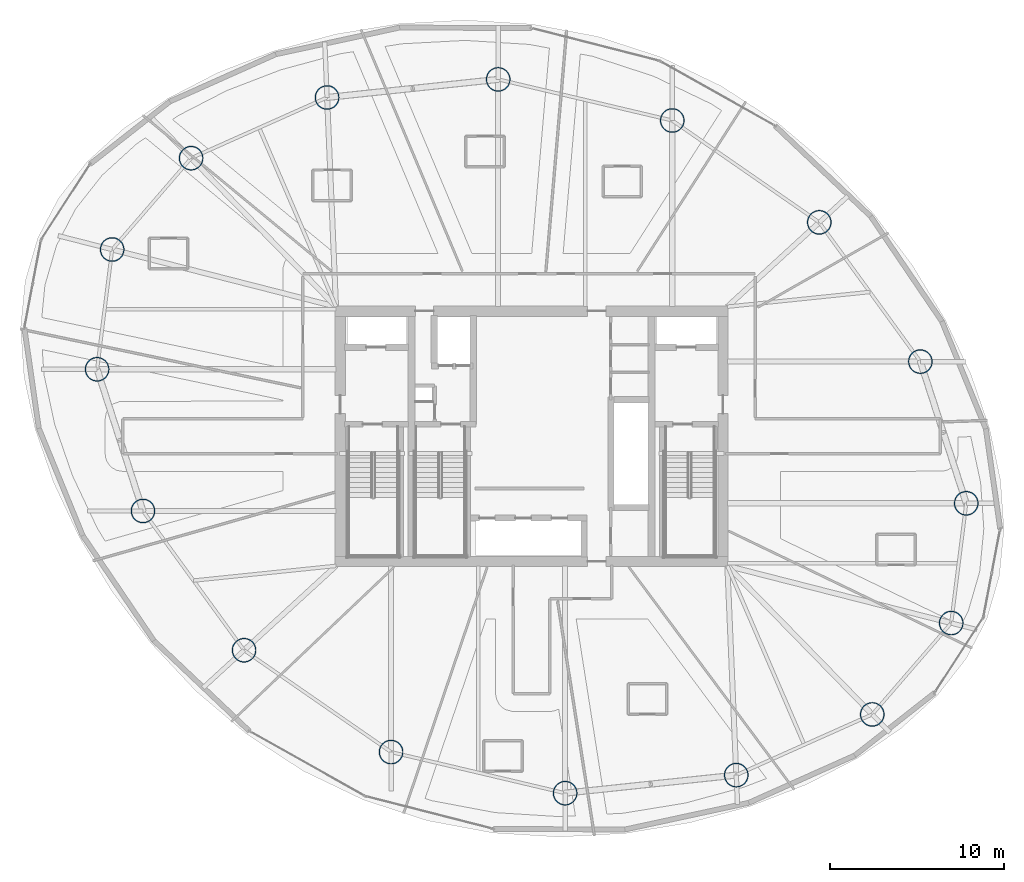
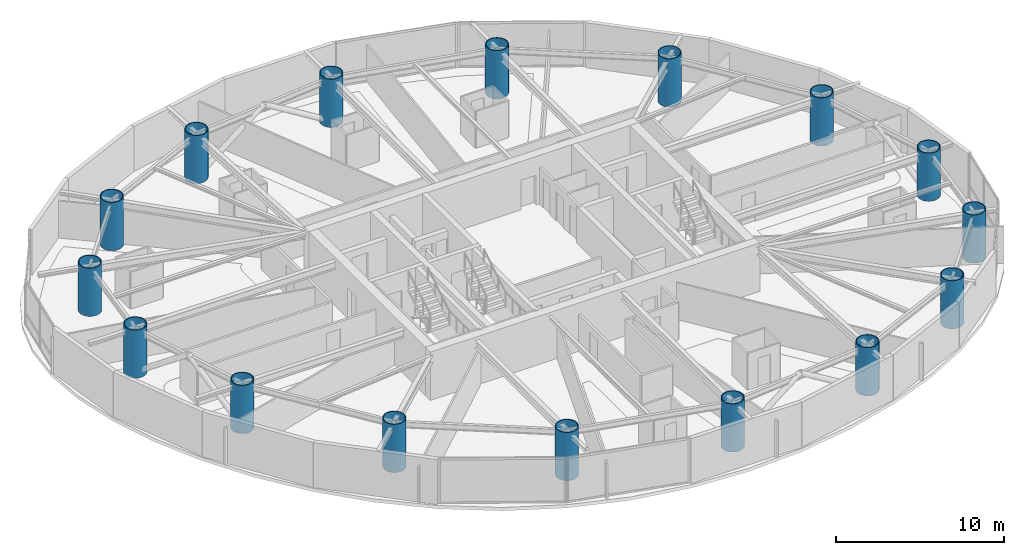
# One storey, part 1 of 22: 16 columns.
"""IFC4 building model written with IfcOpenShell, lengths in metres."""

from ifc_helpers import new_model, si_unit, direction, frame, origin, origin_2d, place, context, subcontext, project, spatial, hollow_circle, extrude, material, material_profile, profile_set, type_object, element, save


model = new_model("IFC4")

# Units and contexts
model_context = context("Model", 3, precision=1e-05, world=origin(), true_north=direction((0.0, 1.0)))
body_context = subcontext(model_context, "Body", "Model", "MODEL_VIEW")
ifc_project = project(units=[si_unit("LENGTHUNIT", "METRE"), si_unit("AREAUNIT", "SQUARE_METRE"), si_unit("VOLUMEUNIT", "CUBIC_METRE"), si_unit("PLANEANGLEUNIT", "RADIAN"), si_unit("MASSUNIT", "GRAM", prefix="KILO")], contexts=[model_context])

# Site, building, storey
site_placement = place(None, origin())
site = spatial("IfcSite", under=ifc_project, at=site_placement, CompositionType="ELEMENT")
building_placement = place(site_placement, origin())
building = spatial("IfcBuilding", under=site, at=building_placement, Name="Bramvorn Convention Spire", CompositionType="ELEMENT")
storey_placement = place(building_placement, frame((0.0, 0.0, 120.300048828125)))
storey = spatial("IfcBuildingStorey", under=building, at=storey_placement, Name="L29", CompositionType="ELEMENT", Elevation=120.300048828125)

# Columns
ifc_material = material(Name="Steel CSA G40.21 Grade 350 (350W)", Category="steel")
ifc_material_profile = material_profile(ifc_material, hollow_circle(Radius=0.699951171875, WallThickness=0.054931640625, at=origin_2d()))
ifc_profile_set = profile_set([ifc_material_profile], Name="Steel CSA G40.21 Grade 350 (350W) - CFT1400X55")
column_type = type_object("IfcColumnType", Name="COL-CFT1400X55", PredefinedType="COLUMN", material=ifc_profile_set)
for number, where, z_axis, x_axis, name in (
    (1, (62.11767578125, 15.26220703125, 0.0), (0.0, 0.0, 1.0), (1.0, 0.0, 0.0), "L29 composite CFT mega-column MC01"),
    (2, (62.983642578125, 22.148193359375, 0.0), (0.0, 0.0, 1.0), (1.0, 0.0, 0.0), "L29 composite CFT mega-column MC02"),
    (3, (60.345703125, 30.293212890625, 0.0), (0.0, 0.0, 1.0), (1.0, 0.0, 0.0), "L29 composite CFT mega-column MC03"),
    (4, (54.534912109375, 38.299072265625, 0.0), (0.0, 0.0, 1.0), (1.0, 0.0, 0.0), "L29 composite CFT mega-column MC04"),
    (5, (46.082763671875, 44.154052734375, 0.0), (0.0, 0.0, 1.0), (1.0, 0.0, 0.0), "L29 composite CFT mega-column MC05"),
    (6, (36.075927734375, 46.517333984375, 0.0), (0.0, 0.0, 1.0), (1.0, 0.0, 0.0), "L29 composite CFT mega-column MC06"),
    (7, (26.23828125, 45.478759765625, 0.0), (0.0, 0.0, 1.0), (1.0, 0.0, 0.0), "L29 composite CFT mega-column MC07"),
    (8, (18.420166015625, 41.9892578125, 0.0), (0.0, 0.0, 1.0), (1.0, 0.0, 0.0), "L29 composite CFT mega-column MC08"),
    (9, (13.88232421875, 36.73779296875, 0.0), (0.0, 0.0, 1.0), (1.0, 0.0, 0.0), "L29 composite CFT mega-column MC09"),
    (10, (13.016357421875, 29.851806640625, 0.0), (0.0, 0.0, 1.0), (1.0, 0.0, 0.0), "L29 composite CFT mega-column MC10"),
    (11, (15.654296875, 21.706787109375, 0.0), (0.0, 0.0, 1.0), (1.0, 0.0, 0.0), "L29 composite CFT mega-column MC11"),
    (12, (21.465087890625, 13.700927734375, 0.0), (0.0, 0.0, 1.0), (1.0, 0.0, 0.0), "L29 composite CFT mega-column MC12"),
    (13, (29.917236328125, 7.845947265625, 0.0), (0.0, 0.0, 1.0), (1.0, 0.0, 0.0), "L29 composite CFT mega-column MC13"),
    (14, (39.924072265625, 5.482666015625, 0.0), (0.0, 0.0, 1.0), (1.0, 0.0, 0.0), "L29 composite CFT mega-column MC14"),
    (15, (49.76171875, 6.521240234375, 0.0), (0.0, 0.0, 1.0), (1.0, 0.0, 0.0), "L29 composite CFT mega-column MC15"),
    (16, (57.579833984375, 10.0107421875, 0.0), (0.0, 0.0, 1.0), (1.0, 0.0, 0.0), "L29 composite CFT mega-column MC16"),
):
    element("IfcColumn", number, at=place(storey_placement, frame(where, z_axis=z_axis, x_axis=x_axis)), inside=storey, type_object=column_type, Name=name, PredefinedType="COLUMN", context=body_context, shape_type="SweptSolid", body=[
        extrude(hollow_circle(Radius=0.699951171875, WallThickness=0.054931640625, at=origin_2d()), origin(), (0.0, 0.0, 1.0), 3.5),
    ])

save(model, "model.ifc")
